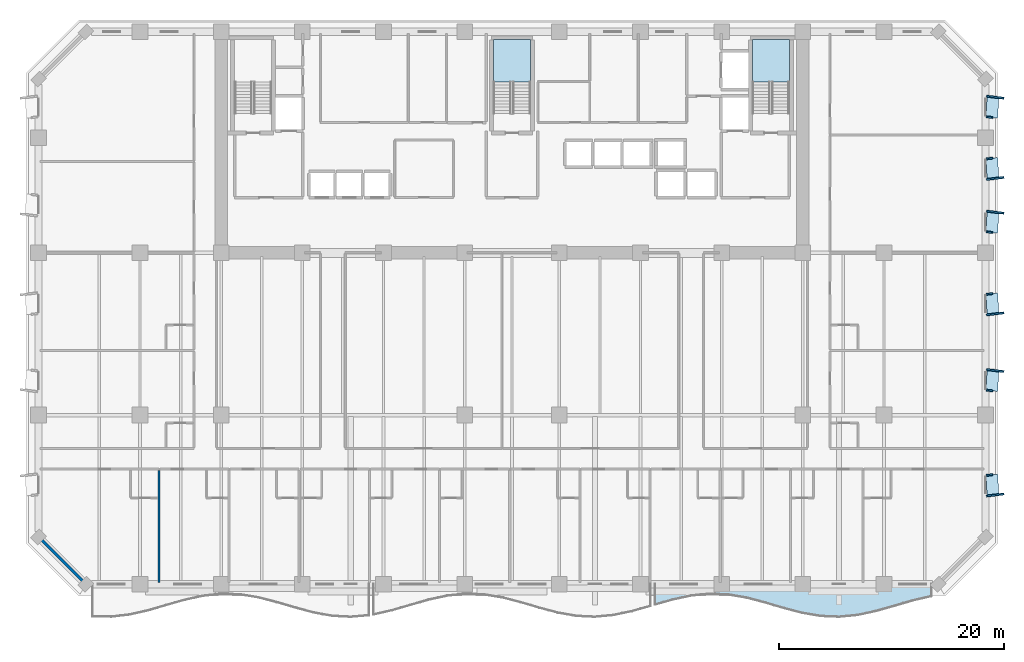
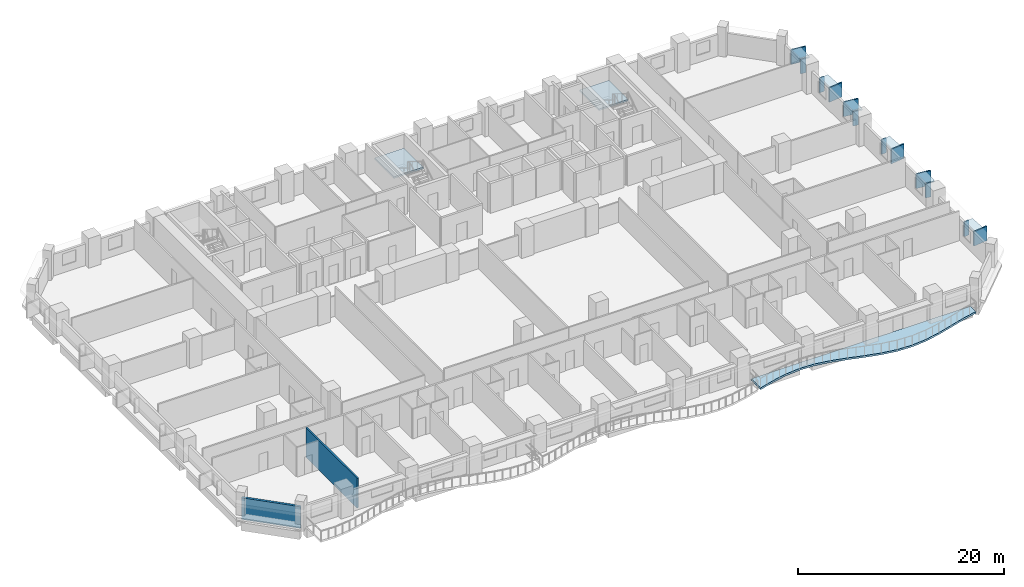
# One storey, part 3 of 15: 18 plates, 3 slabs, 2 walls, 2 elements without a shape of their own.
"""IFC4 building model written with IfcOpenShell, lengths in metres."""

from ifc_helpers import new_model, si_unit, direction, frame, frame_2d, origin, origin_2d, place, context, subcontext, project, spatial, polyline, rectangle, outline, extrude, material, layer, layer_set, type_object, element, aggregate, save


model = new_model("IFC4")

# Units and contexts
model_context = context("Model", 3, precision=1e-05, world=origin(), true_north=direction((0.0, 1.0)))
body_context = subcontext(model_context, "Body", "Model", "MODEL_VIEW")
ifc_project = project(units=[si_unit("LENGTHUNIT", "METRE"), si_unit("AREAUNIT", "SQUARE_METRE"), si_unit("VOLUMEUNIT", "CUBIC_METRE"), si_unit("PLANEANGLEUNIT", "RADIAN"), si_unit("MASSUNIT", "GRAM", prefix="KILO")], contexts=[model_context])

# Site, building, storey
site_placement = place(None, origin())
site = spatial("IfcSite", under=ifc_project, at=site_placement, CompositionType="ELEMENT")
building_placement = place(site_placement, origin())
building = spatial("IfcBuilding", under=site, at=building_placement, Name="Kaelvorn Grand Hotel", CompositionType="ELEMENT")
storey_placement = place(building_placement, frame((0.0, 0.0, 42.64990234375)))
storey = spatial("IfcBuildingStorey", under=building, at=storey_placement, Name="L08", CompositionType="ELEMENT", Elevation=42.64990234375)

# Plates
ifc_material_1 = material(Name="Precast concrete C45/55", Category="concrete")
ifc_layer_1 = layer(ifc_material_1, 0.159912109375)
ifc_layer_set_1 = layer_set([ifc_layer_1], Name="Precast concrete C45/55")
plate_type_1 = type_object("IfcPlateType", Name="PL-FRAME-DEEP-1550", PredefinedType="USERDEFINED", material=ifc_layer_set_1)
for number, where, z_axis, x_axis, name in (
    (1, (84.864990234375, 7.909912109375, 0.68994140625), (0.0, 0.0, 1.0), (-0.121869343405, 0.992546151641, 0.0), "L08 Tilted Precast Window Frame Fin L-E01"),
    (2, (84.864990234375, 18.955078125, 0.68994140625), (0.0, 0.0, 1.0), (0.121869343405, 0.992546151641, 0.0), "L08 Tilted Precast Window Frame Fin R-E02"),
    (3, (84.864990234375, 23.97509765625, 0.68994140625), (0.0, 0.0, 1.0), (-0.121869343405, 0.992546151641, 0.0), "L08 Tilted Precast Window Frame Fin L-E03"),
    (4, (84.864990234375, 33.0048828125, 0.68994140625), (0.0, 0.0, 1.0), (0.121869343405, 0.992546151641, 0.0), "L08 Tilted Precast Window Frame Fin R-E04"),
    (5, (84.864990234375, 35.9951171875, 0.68994140625), (0.0, 0.0, 1.0), (-0.121869343405, 0.992546151641, 0.0), "L08 Tilted Precast Window Frame Fin L-E05"),
    (6, (84.864990234375, 43.205078125, 0.68994140625), (0.0, 0.0, 1.0), (0.121869343405, 0.992546151641, 0.0), "L08 Tilted Precast Window Frame Fin R-E06"),
):
    element("IfcPlate", number, at=place(storey_placement, frame(where, z_axis=z_axis, x_axis=x_axis)), inside=storey, type_object=plate_type_1, Name=name, ObjectType="FLANGE_PLATE", PredefinedType="USERDEFINED", context=body_context, shape_type="SweptSolid", body=[
        extrude(rectangle(XDim=0.159912109375, YDim=1.550048828125, at=origin_2d()), origin(), (0.0, 0.0, 1.0), 1.719970703125),
    ])
ifc_layer_2 = layer(ifc_material_1, 0.159912109375)
ifc_layer_set_2 = layer_set([ifc_layer_2], Name="Precast concrete C45/55")
plate_type_2 = type_object("IfcPlateType", Name="PL-FRAME-HEAD-1050", PredefinedType="USERDEFINED", material=ifc_layer_set_2)
for number, where, z_axis, x_axis, name in (
    (7, (84.614990234375, 8.800048828125, 2.25), (0.0, 0.0, 1.0), (-0.054950179912, 0.998489097451, 0.0), "L08 Precast Window Frame Head Hood H-E01"),
    (8, (84.614990234375, 18.06494140625, 2.25), (0.0, 0.0, 1.0), (0.054950179912, 0.998489097451, 0.0), "L08 Precast Window Frame Head Hood H-E02"),
    (9, (84.614990234375, 24.864990234375, 2.25), (0.0, 0.0, 1.0), (-0.054950179912, 0.998489097451, 0.0), "L08 Precast Window Frame Head Hood H-E03"),
    (10, (84.614990234375, 32.114990234375, 2.25), (0.0, 0.0, 1.0), (0.054950179912, 0.998489097451, 0.0), "L08 Precast Window Frame Head Hood H-E04"),
    (11, (84.614990234375, 36.885009765625, 2.25), (0.0, 0.0, 1.0), (-0.054950179912, 0.998489097451, 0.0), "L08 Precast Window Frame Head Hood H-E05"),
    (12, (84.614990234375, 42.31494140625, 2.25), (0.0, 0.0, 1.0), (0.054950179912, 0.998489097451, 0.0), "L08 Precast Window Frame Head Hood H-E06"),
):
    element("IfcPlate", number, at=place(storey_placement, frame(where, z_axis=z_axis, x_axis=x_axis)), inside=storey, type_object=plate_type_2, Name=name, ObjectType="FLANGE_PLATE", PredefinedType="USERDEFINED", context=body_context, shape_type="SweptSolid", body=[
        extrude(rectangle(XDim=1.860107421875, YDim=1.050048828125, at=origin_2d()), origin(), (0.0, 0.0, 1.0), 0.159912109375),
    ])
ifc_layer_3 = layer(ifc_material_1, 0.159912109375)
ifc_layer_set_3 = layer_set([ifc_layer_3], Name="Precast concrete C45/55")
plate_type_3 = type_object("IfcPlateType", Name="PL-FRAME-SHAL-550", PredefinedType="USERDEFINED", material=ifc_layer_set_3)
for number, where, z_axis, x_axis, name in (
    (13, (84.364990234375, 9.68994140625, 0.68994140625), (0.0, 0.0, 1.0), (-0.121869343405, 0.992546151641, 0.0), "L08 Tilted Precast Window Frame Fin R-E01"),
    (14, (84.364990234375, 17.175048828125, 0.68994140625), (0.0, 0.0, 1.0), (0.121869343405, 0.992546151641, 0.0), "L08 Tilted Precast Window Frame Fin L-E02"),
    (15, (84.364990234375, 25.7548828125, 0.68994140625), (0.0, 0.0, 1.0), (-0.121869343405, 0.992546151641, 0.0), "L08 Tilted Precast Window Frame Fin R-E03"),
    (16, (84.364990234375, 31.22509765625, 0.68994140625), (0.0, 0.0, 1.0), (0.121869343405, 0.992546151641, 0.0), "L08 Tilted Precast Window Frame Fin L-E04"),
    (17, (84.364990234375, 37.77490234375, 0.68994140625), (0.0, 0.0, 1.0), (-0.121869343405, 0.992546151641, 0.0), "L08 Tilted Precast Window Frame Fin R-E05"),
    (18, (84.364990234375, 41.425048828125, 0.68994140625), (0.0, 0.0, 1.0), (0.121869343405, 0.992546151641, 0.0), "L08 Tilted Precast Window Frame Fin L-E06"),
):
    element("IfcPlate", number, at=place(storey_placement, frame(where, z_axis=z_axis, x_axis=x_axis)), inside=storey, type_object=plate_type_3, Name=name, ObjectType="FLANGE_PLATE", PredefinedType="USERDEFINED", context=body_context, shape_type="SweptSolid", body=[
        extrude(rectangle(XDim=0.159912109375, YDim=0.550048828125, at=origin_2d()), origin(), (0.0, 0.0, 1.0), 1.719970703125),
    ])

# Slab
ifc_material_2 = material(Name="Concrete C40/50", Category="concrete")
ifc_layer_4 = layer(ifc_material_2, 0.219970703125)
ifc_layer_set_4 = layer_set([ifc_layer_4], Name="Concrete C40/50")
slab_type_1 = type_object("IfcSlabType", Name="SLB-BALC-220-C40", PredefinedType="FLOOR", material=ifc_layer_set_4)
slab_1_placement = place(storey_placement, frame((0.0, 0.0, -0.219970703125)))
element("IfcSlab", 19, at=slab_1_placement, inside=storey, type_object=slab_type_1, Name="L08 Scalloped Wave Balcony Slab 3", PredefinedType="FLOOR", context=body_context, shape_type="SweptSolid", body=[
    extrude(outline(polyline([(54.666748046875, -1.8193359375), (56.30224609375, -1.356689453125), (57.937744140625, -1.00927734375), (59.5732421875, -0.85400390625), (61.208984375, -0.925537109375), (62.844482421875, -1.2080078125), (64.47998046875, -1.638671875), (66.115478515625, -2.12158203125), (67.751220703125, -2.550048828125), (69.38671875, -2.828369140625), (71.022216796875, -2.89501953125), (72.65771484375, -2.735107421875), (74.293212890625, -2.384033203125), (75.928955078125, -1.919921875), (77.564453125, -1.446044921875), (79.199951171875, -1.0673828125), (79.199951171875, 0.0), (54.666748046875, 0.0), (54.666748046875, -1.8193359375)])), origin(), (0.0, 0.0, 1.0), 0.219970703125),
])

# Stair, slab
stair_type = type_object("IfcStairType", Name="STR-DOG-1560-R06", PredefinedType="HALF_TURN_STAIR", material=ifc_material_2)
stair_1_placement = place(storey_placement, origin())
stair_1 = element("IfcStair", 20, at=stair_1_placement, inside=storey, type_object=stair_type, Name="L08 Central Core Exit Stair ST2", PredefinedType="HALF_TURN_STAIR")
ifc_layer_5 = layer(ifc_material_2, 0.199951171875)
ifc_layer_set_5 = layer_set([ifc_layer_5], Name="Concrete C40/50")
slab_type_2 = type_object("IfcSlabType", Name="SLB-LAND-200-C40", PredefinedType="LANDING", material=ifc_layer_set_5)
slab_2_placement = place(storey_placement, frame((0.0, 0.0, 1.675048828125)))
slab_2 = element("IfcSlab", 21, at=slab_2_placement, type_object=slab_type_2, Name="ST2 landing 1", PredefinedType="LANDING", context=body_context, shape_type="SweptSolid", body=[
    extrude(outline(polyline([(43.639892578125, 44.56005859375), (43.639892578125, 48.300048828125), (40.360107421875, 48.300048828125), (40.360107421875, 44.56005859375), (43.639892578125, 44.56005859375)])), origin(), (0.0, 0.0, 1.0), 0.199951171875),
])
aggregate(stair_1, [slab_2])

stair_2_placement = place(storey_placement, origin())
stair_2 = element("IfcStair", 22, at=stair_2_placement, inside=storey, type_object=stair_type, Name="L08 East Core Exit Stair ST3", PredefinedType="HALF_TURN_STAIR")
slab_3_placement = place(storey_placement, frame((0.0, 0.0, 1.675048828125)))
slab_3 = element("IfcSlab", 23, at=slab_3_placement, type_object=slab_type_2, Name="ST3 landing 1", PredefinedType="LANDING", context=body_context, shape_type="SweptSolid", body=[
    extrude(outline(polyline([(66.60009765625, 44.56005859375), (66.60009765625, 48.300048828125), (63.320068359375, 48.300048828125), (63.320068359375, 44.56005859375), (66.60009765625, 44.56005859375)])), origin(), (0.0, 0.0, 1.0), 0.199951171875),
])
aggregate(stair_2, [slab_3])

# Walls
ifc_layer_6 = layer(ifc_material_2, 0.260009765625)
ifc_layer_set_6 = layer_set([ifc_layer_6], Name="Concrete C40/50")
wall_type_1 = type_object("IfcWallType", Name="WL-EXT-260-C40", PredefinedType="SOLIDWALL", material=ifc_layer_set_6)
wall_1_placement = place(storey_placement, frame((0.0, 4.199951171875, 0.0), z_axis=(0.0, 0.0, 1.0), x_axis=(0.707106781187, -0.707106781187, 0.0)))
element("IfcWall", 24, at=wall_1_placement, inside=storey, type_object=wall_type_1, Name="L08 Exterior Architectural Concrete Wall 08", PredefinedType="SOLIDWALL", context=body_context, shape_type="SweptSolid", body=[
    extrude(rectangle(XDim=5.939697265625, YDim=0.260009765625, at=frame_2d((2.9697265625, 0.0))), origin(), (0.0, 0.0, 1.0), 2.56005859375),
])
ifc_material_3 = material(Name="Acoustic Gypsum & Stud Partition")
ifc_layer_7 = layer(ifc_material_3, 0.179931640625)
ifc_layer_set_7 = layer_set([ifc_layer_7], Name="Acoustic Gypsum & Stud Partition")
wall_type_2 = type_object("IfcWallType", Name="WL-PART-180-EI60", PredefinedType="PARTITIONING", material=ifc_layer_set_7)
wall_2_placement = place(storey_placement, frame((10.6748046875, 0.14990234375, 0.0), z_axis=(0.0, 0.0, 1.0), x_axis=(0.0, 1.0, 0.0)))
element("IfcWall", 25, at=wall_2_placement, inside=storey, type_object=wall_type_2, Name="L08 Deluxe Panoramic Suite L08-01 E Partition", PredefinedType="PARTITIONING", context=body_context, shape_type="SweptSolid", body=[
    extrude(rectangle(XDim=9.955078125, YDim=0.179931640625, at=frame_2d((4.9775390625, 0.0))), origin(), (0.0, 0.0, 1.0), 3.510009765625),
])

save(model, "model.ifc")
